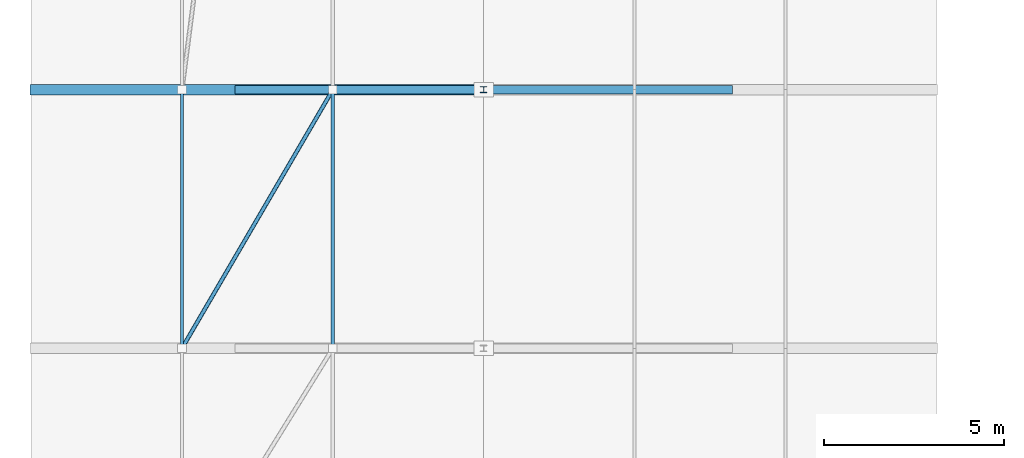
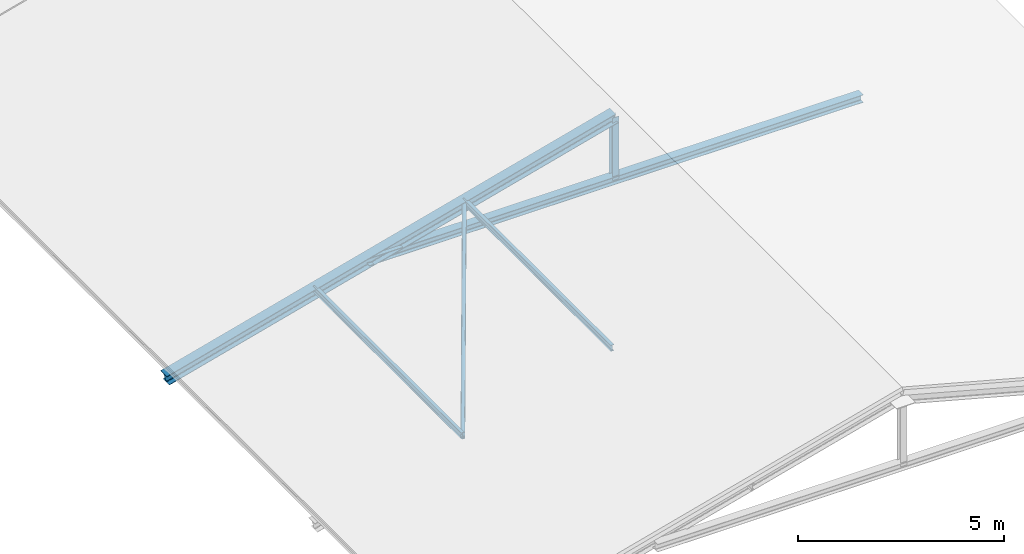
# One storey, part 2 of 31: 6 members.
"""IFC4 building model written with IfcOpenShell, lengths in metres."""

from ifc_helpers import new_model, si_unit, direction, frame, origin, origin_2d, place, context, subcontext, project, spatial, hollow_circle, i_section, extrude, material, material_profile, profile_set, type_object, element, save


model = new_model("IFC4")

# Units and contexts
model_context = context("Model", 3, precision=1e-05, world=origin(), true_north=direction((0.0, 1.0)))
body_context = subcontext(model_context, "Body", "Model", "MODEL_VIEW")
ifc_project = project(units=[si_unit("LENGTHUNIT", "METRE"), si_unit("AREAUNIT", "SQUARE_METRE"), si_unit("VOLUMEUNIT", "CUBIC_METRE"), si_unit("PLANEANGLEUNIT", "RADIAN"), si_unit("MASSUNIT", "GRAM", prefix="KILO")], contexts=[model_context])

# Site, building, storey
site_placement = place(None, origin())
site = spatial("IfcSite", under=ifc_project, at=site_placement, CompositionType="ELEMENT")
building_placement = place(site_placement, origin())
building = spatial("IfcBuilding", under=site, at=building_placement, Name="Clarverna Civic Hall", CompositionType="ELEMENT")
storey_placement = place(building_placement, frame((0.0, 0.0, 31.199951171875)))
storey = spatial("IfcBuildingStorey", under=building, at=storey_placement, Name="RF", CompositionType="ELEMENT", Elevation=31.199951171875)

# Members
ifc_material = material(Name="Steel S355", Category="steel")
ifc_material_profile_1 = material_profile(ifc_material, hollow_circle(Radius=0.05712890625, WallThickness=0.00634765625, at=origin_2d()), Name="CHS 114.3x6.3")
ifc_profile_set_1 = profile_set([ifc_material_profile_1], Name="Steel S355")
member_type_1 = type_object("IfcMemberType", Name="BRR-2", PredefinedType="BRACE", material=ifc_profile_set_1)
member_1_placement = place(storey_placement, frame((4.199951171875, 6.800048828125, -13.564453125), z_axis=(0.499339794697, 0.856015223241, 0.133782312025), x_axis=(-0.863779963214, 0.503869204407, 0.0)))
element("IfcMember", 1, at=member_1_placement, inside=storey, type_object=member_type_1, Name="BRR-2-002", PredefinedType="BRACE", context=body_context, shape_type="SweptSolid", body=[
    extrude(hollow_circle(Radius=0.05712890625, WallThickness=0.00634765625, at=origin_2d()), origin(), (0.0, 0.0, 1.0), 8.410888671875),
])
ifc_material_profile_2 = material_profile(ifc_material, i_section(OverallWidth=0.239990234375, OverallDepth=0.22998046875, WebThickness=0.007568359375, FlangeThickness=0.011962890625, FilletRadius=0.02099609375, at=origin_2d()), Name="HEA 240")
ifc_profile_set_2 = profile_set([ifc_material_profile_2], Name="Steel S355")
member_type_2 = type_object("IfcMemberType", Name="CH-03", PredefinedType="CHORD", material=ifc_profile_set_2)
member_2_placement = place(storey_placement, frame((5.669921875, 14.0, -13.170654296875), z_axis=(1.0, 0.0, 0.0), x_axis=(0.0, 1.0, 0.0)))
element("IfcMember", 2, at=member_2_placement, inside=storey, type_object=member_type_2, Name="CH-03-003", PredefinedType="CHORD", context=body_context, shape_type="SweptSolid", body=[
    extrude(i_section(OverallWidth=0.239990234375, OverallDepth=0.22998046875, WebThickness=0.007568359375, FlangeThickness=0.011962890625, FilletRadius=0.02099609375, at=origin_2d()), origin(), (0.0, 0.0, 1.0), 13.860107421875),
])
ifc_material_profile_3 = material_profile(ifc_material, i_section(OverallWidth=0.179931640625, OverallDepth=0.1708984375, WebThickness=0.006103515625, FlangeThickness=0.009521484375, FilletRadius=0.014892578125, at=origin_2d()), Name="HEA 180")
ifc_profile_set_3 = profile_set([ifc_material_profile_3], Name="Steel S355")
member_type_3 = type_object("IfcMemberType", Name="CH-04", PredefinedType="CHORD", material=ifc_profile_set_3)
member_3_placement = place(storey_placement, frame((12.60009765625, 14.0, -13.170654296875), z_axis=(0.0, 0.0, 1.0), x_axis=(1.0, 0.0, 0.0)))
element("IfcMember", 3, at=member_3_placement, inside=storey, type_object=member_type_3, Name="CH-04-101", PredefinedType="CHORD", context=body_context, shape_type="SweptSolid", body=[
    extrude(i_section(OverallWidth=0.179931640625, OverallDepth=0.1708984375, WebThickness=0.006103515625, FlangeThickness=0.009521484375, FilletRadius=0.014892578125, at=origin_2d()), origin(), (0.0, 0.0, 1.0), 1.85693359375),
])
ifc_material_profile_4 = material_profile(ifc_material, i_section(OverallWidth=0.091064453125, OverallDepth=0.179931640625, WebThickness=0.00537109375, FlangeThickness=0.008056640625, FilletRadius=0.009033203125, at=origin_2d()), Name="IPE 180")
ifc_profile_set_4 = profile_set([ifc_material_profile_4], Name="Steel S355")
member_type_4 = type_object("IfcMemberType", Name="PU-RF2", PredefinedType="PURLIN", material=ifc_profile_set_4)
for number, where, z_axis, x_axis, name in (
    (4, (4.199951171875, 6.800048828125, -13.504638671875), (0.0, 1.0, 0.0), (-1.0, 0.0, 0.0), "PU-RF2-002"),
    (5, (8.39990234375, 6.800048828125, -12.379150390625), (0.0, 1.0, 0.0), (-1.0, 0.0, 0.0), "PU-RF2-006"),
):
    element("IfcMember", number, at=place(storey_placement, frame(where, z_axis=z_axis, x_axis=x_axis)), inside=storey, type_object=member_type_4, Name=name, PredefinedType="PURLIN", context=body_context, shape_type="SweptSolid", body=[
        extrude(i_section(OverallWidth=0.091064453125, OverallDepth=0.179931640625, WebThickness=0.00537109375, FlangeThickness=0.008056640625, FilletRadius=0.009033203125, at=origin_2d()), origin(), (0.0, 0.0, 1.0), 7.199951171875),
    ])
ifc_material_profile_5 = material_profile(ifc_material, i_section(OverallWidth=0.300048828125, OverallDepth=0.2900390625, WebThickness=0.008544921875, FlangeThickness=0.013916015625, FilletRadius=0.027099609375, at=origin_2d()), Name="HEA 300")
ifc_profile_set_5 = profile_set([ifc_material_profile_5], Name="Steel S355")
member_type_5 = type_object("IfcMemberType", Name="RF-03", PredefinedType="RAFTER", material=ifc_profile_set_5)
member_4_placement = place(storey_placement, frame((0.0, 14.0, -14.68994140625), z_axis=(0.965925161037, 0.0, 0.258821527843), x_axis=(0.0, 1.0, 0.0)))
element("IfcMember", 6, at=member_4_placement, inside=storey, type_object=member_type_5, Name="RF-03-005", PredefinedType="RAFTER", context=body_context, shape_type="SweptSolid", body=[
    extrude(i_section(OverallWidth=0.300048828125, OverallDepth=0.2900390625, WebThickness=0.008544921875, FlangeThickness=0.013916015625, FilletRadius=0.027099609375, at=origin_2d()), origin(), (0.0, 0.0, 1.0), 13.044677734375),
])

save(model, "model.ifc")
